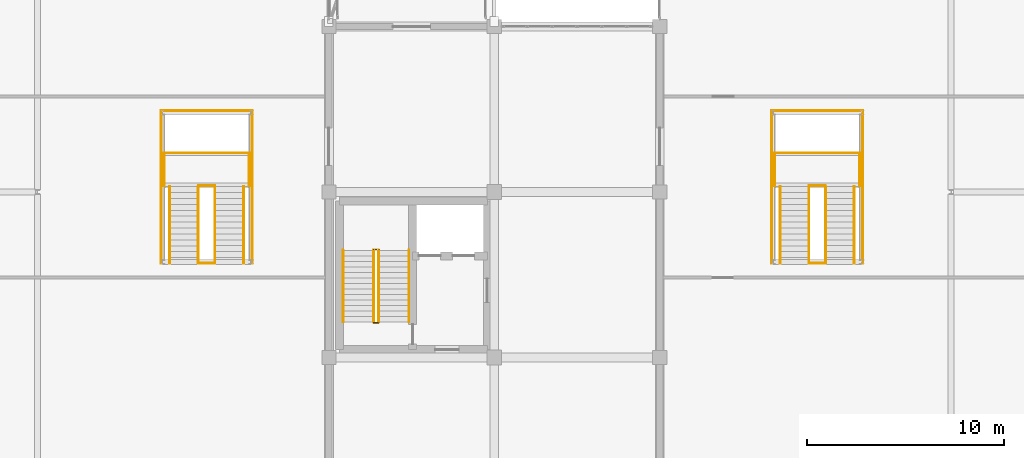
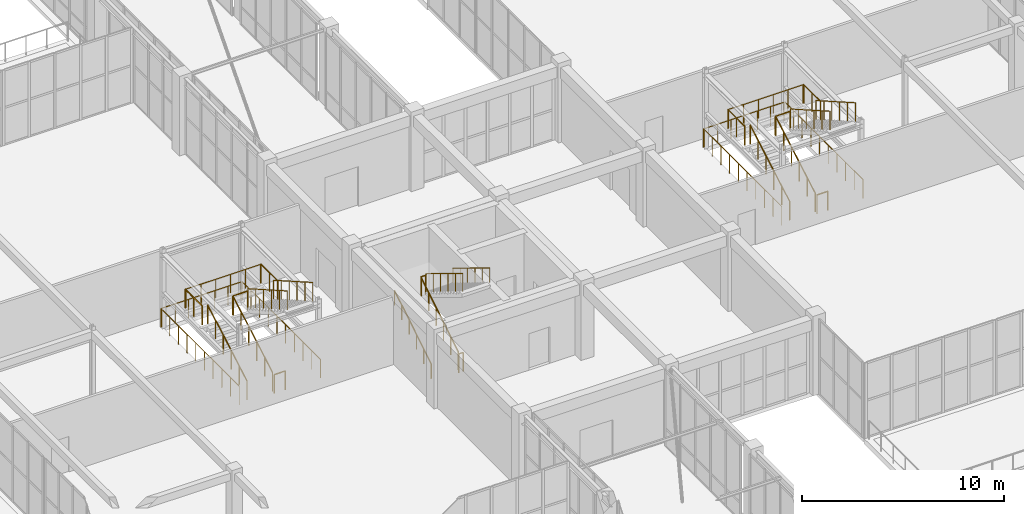
# One storey, part 150 of 158: 30 railings.
"""IFC4 building model written with IfcOpenShell, lengths in metres."""

import ifcopenshell
import ifcopenshell.guid

model = None  # the IFC model being written
_history = None  # IfcOwnerHistory: only IFC2X3 demands one
_inside = {}  # id of a spatial element -> (the spatial element, [elements in it])
_under = {}  # id of a project, library or spatial element -> (it, [spatial elements below it])
_declared = {}  # id of a project -> (the project, [libraries it declares])
_typed = {}  # id of a type object -> (the type object, [elements of that type])
_made_of = {}  # id of a material, layer set ... -> (it, [elements and type objects made of it])


def new_model(schema):
    """Start an empty IFC model of exactly this schema.

    Asked for "IFC4X3", IfcOpenShell would pick the latest addendum, in which some entities
    have other attributes; the version numbers below select the first issue.
    IFC2X3 requires an IfcOwnerHistory on every rooted entity: one is made here for all.
    """
    global model, _history
    if schema == "IFC4X3":
        model = ifcopenshell.file(schema_version=(4, 3, 0, 0))
    else:
        model = ifcopenshell.file(schema=schema)
    _inside.clear()
    _under.clear()
    _declared.clear()
    _typed.clear()
    _made_of.clear()
    _history = None
    if model.schema == "IFC2X3":
        org = make("IfcOrganization", Name="unknown")
        user = make(
            "IfcPersonAndOrganization",
            ThePerson=make("IfcPerson", FamilyName="unknown"),
            TheOrganization=org,
        )
        app = make(
            "IfcApplication",
            ApplicationDeveloper=org,
            Version="unknown",
            ApplicationFullName="unknown",
            ApplicationIdentifier="unknown",
        )
        _history = make(
            "IfcOwnerHistory",
            OwningUser=user,
            OwningApplication=app,
            ChangeAction="ADDED",
            CreationDate=0,
        )
    return model


def make(cls, **values):
    """One entity of the class cls with the attributes given. An attribute that is None is left unset."""
    return model.create_entity(
        cls, **{name: value for name, value in values.items() if value is not None}
    )


def rooted(cls, **values):
    """An entity with a GlobalId (a new one), such as an element, a storey or a relation."""
    return make(cls, GlobalId=ifcopenshell.guid.new(), OwnerHistory=_history, **values)


def si_unit(unit_type, name, prefix=None):
    """IfcSIUnit, for example si_unit("LENGTHUNIT", "METRE", prefix="MILLI")."""
    return make("IfcSIUnit", UnitType=unit_type, Prefix=prefix, Name=name)


def assignment(units):
    """IfcUnitAssignment: the units of a project."""
    return None if units is None else make("IfcUnitAssignment", Units=units)


def point(xyz):
    """IfcCartesianPoint."""
    return None if xyz is None else make("IfcCartesianPoint", Coordinates=xyz)


def direction(xyz):
    """IfcDirection."""
    return None if xyz is None else make("IfcDirection", DirectionRatios=xyz)


def frame(location, z_axis=None, x_axis=None):
    """IfcAxis2Placement3D, a coordinate frame: its origin and axes. An axis left out is left unset."""
    return make(
        "IfcAxis2Placement3D",
        Location=point(location),
        Axis=direction(z_axis),
        RefDirection=direction(x_axis),
    )


def frame_2d(location, x_axis=None):
    """IfcAxis2Placement2D, a coordinate frame in the plane: its origin and x axis."""
    return make(
        "IfcAxis2Placement2D", Location=point(location), RefDirection=direction(x_axis)
    )


def origin():
    """The frame at (0, 0, 0) with its axes left unset."""
    return frame((0.0, 0.0, 0.0))


def origin_2d():
    """The frame at (0, 0) in the plane with its x axis left unset."""
    return frame_2d((0.0, 0.0))


def place(relative_to, where):
    """IfcLocalPlacement: puts the frame where relative to a parent placement (None: the world)."""
    return make(
        "IfcLocalPlacement", PlacementRelTo=relative_to, RelativePlacement=where
    )


def context(
    kind, dimensions, precision=None, world=None, true_north=None, identifier=None
):
    """IfcGeometricRepresentationContext, for example the 3D "Model" context."""
    return make(
        "IfcGeometricRepresentationContext",
        ContextIdentifier=identifier,
        ContextType=kind,
        CoordinateSpaceDimension=dimensions,
        Precision=precision,
        WorldCoordinateSystem=world,
        TrueNorth=true_north,
    )


def subcontext(parent, identifier, kind, view, scale=None):
    """IfcGeometricRepresentationSubContext, for example "Body" below "Model"."""
    return make(
        "IfcGeometricRepresentationSubContext",
        ContextIdentifier=identifier,
        ContextType=kind,
        ParentContext=parent,
        TargetScale=scale,
        TargetView=view,
    )


def project(units=None, contexts=None):
    """IfcProject with its units and contexts."""
    return rooted(
        "IfcProject",
        Name="project",
        RepresentationContexts=contexts,
        UnitsInContext=assignment(units),
    )


def spatial(cls, under=None, at=None, **own):
    """A site, building, storey or space (cls), placed at a placement, below another one or the project."""
    s = rooted(cls, ObjectPlacement=at, **own)
    if under is not None:
        _under.setdefault(under.id(), (under, []))[1].append(s)
    return s


def profile(cls, at=None, kind="AREA", **sizes):
    """A parametric profile (cls). Its sizes go by their IFC names, for example OverallWidth=200.0."""
    return make(cls, ProfileType=kind, Position=at, **sizes)


def circle(**sizes):
    """IfcCircleProfileDef."""
    return profile("IfcCircleProfileDef", **sizes)


def extrude(swept, where, along, depth):
    """IfcExtrudedAreaSolid: the profile swept, set in the frame where, extruded along a direction by depth."""
    return make(
        "IfcExtrudedAreaSolid",
        SweptArea=swept,
        Position=where,
        ExtrudedDirection=direction(along),
        Depth=depth,
    )


def shape(context_of_items, identifier, shape_type, items):
    """IfcShapeRepresentation: the items that make up one representation, for example the "Body"."""
    return make(
        "IfcShapeRepresentation",
        ContextOfItems=context_of_items,
        RepresentationIdentifier=identifier,
        RepresentationType=shape_type,
        Items=items,
    )


def material(Name=None, Category=None):
    """IfcMaterial."""
    return make("IfcMaterial", Name=Name, Category=Category)


def made_of(thing, what):
    """Note that an element or type object is made of a material, layer set ...; save() writes the relation."""
    if what is not None:
        _made_of.setdefault(what.id(), (what, []))[1].append(thing)
    return thing


def type_object(cls, material=None, **own):
    """A type object (cls), such as IfcWallType, which elements share."""
    return made_of(rooted(cls, **own), material)


def element(
    cls,
    number,
    at=None,
    inside=None,
    cuts=None,
    type_object=None,
    material=None,
    context=None,
    identifier="Body",
    shape_type=None,
    held_by="IfcProductDefinitionShape",
    body=None,
    shapes=None,
    **own,
):
    """One element of the class cls, such as IfcWall. Its Tag is "e" and its number.

    at: its placement. inside: the storey or other place that contains it. cuts: it is an
    opening in that element (IfcRelVoidsElement). A single representation is given by context,
    identifier, shape_type and body (its items); several are given by shapes. held_by: the class
    of the entity that holds the representations. save() writes the other relations.
    """
    e = rooted(cls, Tag="e%d" % number, ObjectPlacement=at, **own)
    if body is not None:
        shapes = [shape(context, identifier, shape_type, body)]
    if shapes is not None:
        e.Representation = make(held_by, Representations=shapes)
    if inside is not None:
        _inside.setdefault(inside.id(), (inside, []))[1].append(e)
    if cuts is not None:
        rooted(
            "IfcRelVoidsElement", RelatingBuildingElement=cuts, RelatedOpeningElement=e
        )
    if type_object is not None:
        _typed.setdefault(type_object.id(), (type_object, []))[1].append(e)
    return made_of(e, material)


def aggregate(whole, parts):
    """IfcRelAggregates: a whole, such as a stair, and the parts it consists of."""
    return rooted("IfcRelAggregates", RelatingObject=whole, RelatedObjects=parts)


def save(model, path):
    """Write the relations noted so far, then the file.

    IfcRelAggregates (storeys below a building ...), IfcRelContainedInSpatialStructure (elements
    in a storey), IfcRelDefinesByType, IfcRelAssociatesMaterial and IfcRelDeclares: one each for
    every whole, place, type object, material and project.
    """
    for whole, parts in _under.values():
        aggregate(whole, parts)
    for where, things in _inside.values():
        rooted(
            "IfcRelContainedInSpatialStructure",
            RelatedElements=things,
            RelatingStructure=where,
        )
    for kind, things in _typed.values():
        rooted("IfcRelDefinesByType", RelatedObjects=things, RelatingType=kind)
    for what, things in _made_of.values():
        rooted("IfcRelAssociatesMaterial", RelatedObjects=things, RelatingMaterial=what)
    for by, libraries in _declared.values():
        rooted("IfcRelDeclares", RelatingContext=by, RelatedDefinitions=libraries)
    model.write(path)


model = new_model("IFC4")

# Units and contexts
model_context = context("Model", 3, precision=1e-05, world=origin(), true_north=direction((0.0, 1.0)))
body_context = subcontext(model_context, "Body", "Model", "MODEL_VIEW")
ifc_project = project(units=[si_unit("LENGTHUNIT", "METRE"), si_unit("AREAUNIT", "SQUARE_METRE"), si_unit("VOLUMEUNIT", "CUBIC_METRE"), si_unit("PLANEANGLEUNIT", "RADIAN"), si_unit("MASSUNIT", "GRAM", prefix="KILO")], contexts=[model_context])

# Site, building, storey
site_placement = place(None, origin())
site = spatial("IfcSite", under=ifc_project, at=site_placement, CompositionType="ELEMENT")
building_placement = place(site_placement, origin())
building = spatial("IfcBuilding", under=site, at=building_placement, Name="Trelvath General Hospital", CompositionType="ELEMENT")
storey_placement = place(building_placement, frame((0.0, 0.0, 8.10009765625)))
storey = spatial("IfcBuildingStorey", under=building, at=storey_placement, Name="L02", CompositionType="ELEMENT", Elevation=8.10009765625)

# Railings
ifc_material_1 = material(Name="Architectural painted steel", Category="steel")
railing_type_1 = type_object("IfcRailingType", Name="Guardrail Terrace1150", PredefinedType="GUARDRAIL", material=ifc_material_1)
railing_1_placement = place(storey_placement, frame((77.8701171875, 52.159912109375, 0.0)))
element("IfcRailing", 1, at=railing_1_placement, inside=storey, type_object=railing_type_1, Name="Stair Well Edge Guard C6 L02 204", PredefinedType="GUARDRAIL", context=body_context, shape_type="SweptSolid", body=[
    extrude(circle(Radius=0.02392578125, at=origin_2d()), frame((0.0, 0.0, 1.1259765625), z_axis=(1.0, 0.0, 0.0), x_axis=(0.0, 1.0, 0.0)), (0.0, 0.0, 1.0), 0.259765625),
    extrude(circle(Radius=0.02099609375, at=origin_2d()), origin(), (0.0, 0.0, 1.0), 1.099853515625),
    extrude(circle(Radius=0.02099609375, at=origin_2d()), frame((0.259765625, 0.0, 0.0)), (0.0, 0.0, 1.0), 1.099853515625),
])
railing_2_placement = place(storey_placement, frame((78.1298828125, 55.840087890625, 2.5712890625)))
element("IfcRailing", 2, at=railing_2_placement, inside=storey, type_object=railing_type_1, Name="Stair Rail ST6 L02 F2 L 206", PredefinedType="GUARDRAIL", context=body_context, shape_type="SweptSolid", body=[
    extrude(circle(Radius=0.02392578125, at=origin_2d()), frame((0.0, 0.0, 1.076171875), z_axis=(0.0, -0.852865859571, 0.52213008492), x_axis=(1.0, 0.0, 0.0)), (0.0, 0.0, 1.0), 4.26806640625),
    extrude(circle(Radius=0.02099609375, at=origin_2d()), origin(), (0.0, 0.0, 1.0), 1.050048828125),
    extrude(circle(Radius=0.02099609375, at=origin_2d()), frame((0.0, -0.72802734375, 0.44580078125)), (0.0, 0.0, 1.0), 1.050048828125),
    extrude(circle(Radius=0.02099609375, at=origin_2d()), frame((0.0, -1.4560546875, 0.891357421875)), (0.0, 0.0, 1.0), 1.050048828125),
    extrude(circle(Radius=0.02099609375, at=origin_2d()), frame((0.0, -2.18408203125, 1.337158203125)), (0.0, 0.0, 1.0), 1.050048828125),
    extrude(circle(Radius=0.02099609375, at=origin_2d()), frame((0.0, -2.912109375, 1.78271484375)), (0.0, 0.0, 1.0), 1.050048828125),
    extrude(circle(Radius=0.02099609375, at=origin_2d()), frame((0.0, -3.64013671875, 2.228515625)), (0.0, 0.0, 1.0), 1.050048828125),
])
railing_3_placement = place(storey_placement, frame((77.8701171875, 52.199951171875, 0.17138671875)))
element("IfcRailing", 3, at=railing_3_placement, inside=storey, type_object=railing_type_1, Name="Stair Rail ST6 L02 F1 R 207", PredefinedType="GUARDRAIL", context=body_context, shape_type="SweptSolid", body=[
    extrude(circle(Radius=0.02392578125, at=origin_2d()), frame((0.0, 0.0, 1.076171875), z_axis=(0.0, 0.852865859571, 0.52213008492), x_axis=(-1.0, 0.0, 0.0)), (0.0, 0.0, 1.0), 4.26806640625),
    extrude(circle(Radius=0.02099609375, at=origin_2d()), origin(), (0.0, 0.0, 1.0), 1.050048828125),
    extrude(circle(Radius=0.02099609375, at=origin_2d()), frame((0.0, 0.72802734375, 0.44580078125)), (0.0, 0.0, 1.0), 1.050048828125),
    extrude(circle(Radius=0.02099609375, at=origin_2d()), frame((0.0, 1.4560546875, 0.891357421875)), (0.0, 0.0, 1.0), 1.050048828125),
    extrude(circle(Radius=0.02099609375, at=origin_2d()), frame((0.0, 2.18408203125, 1.337158203125)), (0.0, 0.0, 1.0), 1.050048828125),
    extrude(circle(Radius=0.02099609375, at=origin_2d()), frame((0.0, 2.912109375, 1.78271484375)), (0.0, 0.0, 1.0), 1.050048828125),
    extrude(circle(Radius=0.02099609375, at=origin_2d()), frame((0.0, 3.64013671875, 2.228515625)), (0.0, 0.0, 1.0), 1.050048828125),
])
railing_4_placement = place(storey_placement, frame((77.8701171875, 55.8798828125, 2.39990234375)))
element("IfcRailing", 4, at=railing_4_placement, inside=storey, type_object=railing_type_1, Name="Half-Landing Well Guard ST6 L02 209", PredefinedType="GUARDRAIL", context=body_context, shape_type="SweptSolid", body=[
    extrude(circle(Radius=0.02392578125, at=origin_2d()), frame((0.0, 0.0, 1.1259765625), z_axis=(1.0, 0.0, 0.0), x_axis=(0.0, 1.0, 0.0)), (0.0, 0.0, 1.0), 0.259765625),
    extrude(circle(Radius=0.02099609375, at=origin_2d()), origin(), (0.0, 0.0, 1.0), 1.099853515625),
    extrude(circle(Radius=0.02099609375, at=origin_2d()), frame((0.259765625, 0.0, 0.0)), (0.0, 0.0, 1.0), 1.099853515625),
])
for number, where, name in (
    (5, (67.52001953125, 55.169921875, 0.17138671875), "Cube Stair Flight Guard ST9 L02 291"),
    (6, (68.97998046875, 55.169921875, 0.17138671875), "Cube Stair Flight Guard ST9 L02 292"),
):
    element("IfcRailing", number, at=place(storey_placement, frame(where)), inside=storey, type_object=railing_type_1, Name=name, PredefinedType="GUARDRAIL", context=body_context, shape_type="SweptSolid", body=[
        extrude(circle(Radius=0.02392578125, at=origin_2d()), frame((0.0, 0.0, 1.1259765625), z_axis=(0.0, 0.868256520506, 0.496115525457), x_axis=(-1.0, 0.0, 0.0)), (0.0, 0.0, 1.0), 4.491943359375),
        extrude(circle(Radius=0.02099609375, at=origin_2d()), origin(), (0.0, 0.0, 1.0), 1.099853515625),
        extrude(circle(Radius=0.02099609375, at=origin_2d()), frame((0.0, 0.780029296875, 0.44580078125)), (0.0, 0.0, 1.0), 1.099853515625),
        extrude(circle(Radius=0.02099609375, at=origin_2d()), frame((0.0, 1.56005859375, 0.891357421875)), (0.0, 0.0, 1.0), 1.099853515625),
        extrude(circle(Radius=0.02099609375, at=origin_2d()), frame((0.0, 2.340087890625, 1.337158203125)), (0.0, 0.0, 1.0), 1.099853515625),
        extrude(circle(Radius=0.02099609375, at=origin_2d()), frame((0.0, 3.1201171875, 1.78271484375)), (0.0, 0.0, 1.0), 1.099853515625),
        extrude(circle(Radius=0.02099609375, at=origin_2d()), frame((0.0, 3.900146484375, 2.228515625)), (0.0, 0.0, 1.0), 1.099853515625),
    ])
for number, where, name in (
    (7, (69.820068359375, 59.070068359375, 2.5712890625), "Cube Stair Flight Guard ST9 L02 293"),
    (8, (71.280029296875, 59.070068359375, 2.5712890625), "Cube Stair Flight Guard ST9 L02 294"),
):
    element("IfcRailing", number, at=place(storey_placement, frame(where)), inside=storey, type_object=railing_type_1, Name=name, PredefinedType="GUARDRAIL", context=body_context, shape_type="SweptSolid", body=[
        extrude(circle(Radius=0.02392578125, at=origin_2d()), frame((0.0, 0.0, 1.1259765625), z_axis=(0.0, -0.868256520506, 0.496115525457), x_axis=(1.0, 0.0, 0.0)), (0.0, 0.0, 1.0), 4.491943359375),
        extrude(circle(Radius=0.02099609375, at=origin_2d()), origin(), (0.0, 0.0, 1.0), 1.099853515625),
        extrude(circle(Radius=0.02099609375, at=origin_2d()), frame((0.0, -0.780029296875, 0.44580078125)), (0.0, 0.0, 1.0), 1.099853515625),
        extrude(circle(Radius=0.02099609375, at=origin_2d()), frame((0.0, -1.56005859375, 0.891357421875)), (0.0, 0.0, 1.0), 1.099853515625),
        extrude(circle(Radius=0.02099609375, at=origin_2d()), frame((0.0, -2.340087890625, 1.337158203125)), (0.0, 0.0, 1.0), 1.099853515625),
        extrude(circle(Radius=0.02099609375, at=origin_2d()), frame((0.0, -3.1201171875, 1.78271484375)), (0.0, 0.0, 1.0), 1.099853515625),
        extrude(circle(Radius=0.02099609375, at=origin_2d()), frame((0.0, -3.900146484375, 2.228515625)), (0.0, 0.0, 1.0), 1.099853515625),
    ])
railing_5_placement = place(storey_placement, frame((67.239990234375, 59.110107421875, 2.39990234375)))
element("IfcRailing", 9, at=railing_5_placement, inside=storey, type_object=railing_type_1, Name="Cube Half-Landing Guard W ST9 L02 295", PredefinedType="GUARDRAIL", context=body_context, shape_type="SweptSolid", body=[
    extrude(circle(Radius=0.02392578125, at=origin_2d()), frame((0.0, 0.0, 1.1259765625), z_axis=(0.0, 1.0, 0.0), x_axis=(-1.0, 0.0, 0.0)), (0.0, 0.0, 1.0), 1.669921875),
    extrude(circle(Radius=0.02099609375, at=origin_2d()), origin(), (0.0, 0.0, 1.0), 1.099853515625),
    extrude(circle(Radius=0.02099609375, at=origin_2d()), frame((0.0, 0.8349609375, 0.0)), (0.0, 0.0, 1.0), 1.099853515625),
    extrude(circle(Radius=0.02099609375, at=origin_2d()), frame((0.0, 1.669921875, 0.0)), (0.0, 0.0, 1.0), 1.099853515625),
])
railing_6_placement = place(storey_placement, frame((67.280029296875, 60.780029296875, 2.39990234375)))
element("IfcRailing", 10, at=railing_6_placement, inside=storey, type_object=railing_type_1, Name="Cube Half-Landing Guard N ST9 L02 296", PredefinedType="GUARDRAIL", context=body_context, shape_type="SweptSolid", body=[
    extrude(circle(Radius=0.02392578125, at=origin_2d()), frame((0.0, 0.0, 1.1259765625), z_axis=(1.0, 0.0, 0.0), x_axis=(0.0, 1.0, 0.0)), (0.0, 0.0, 1.0), 4.239990234375),
    extrude(circle(Radius=0.02099609375, at=origin_2d()), origin(), (0.0, 0.0, 1.0), 1.099853515625),
    extrude(circle(Radius=0.02099609375, at=origin_2d()), frame((0.847900390625, 0.0, 0.0)), (0.0, 0.0, 1.0), 1.099853515625),
    extrude(circle(Radius=0.02099609375, at=origin_2d()), frame((1.696044921875, 0.0, 0.0)), (0.0, 0.0, 1.0), 1.099853515625),
    extrude(circle(Radius=0.02099609375, at=origin_2d()), frame((2.5439453125, 0.0, 0.0)), (0.0, 0.0, 1.0), 1.099853515625),
    extrude(circle(Radius=0.02099609375, at=origin_2d()), frame((3.39208984375, 0.0, 0.0)), (0.0, 0.0, 1.0), 1.099853515625),
    extrude(circle(Radius=0.02099609375, at=origin_2d()), frame((4.239990234375, 0.0, 0.0)), (0.0, 0.0, 1.0), 1.099853515625),
])
railing_7_placement = place(storey_placement, frame((71.56005859375, 59.110107421875, 2.39990234375)))
element("IfcRailing", 11, at=railing_7_placement, inside=storey, type_object=railing_type_1, Name="Cube Half-Landing Guard E ST9 L02 297", PredefinedType="GUARDRAIL", context=body_context, shape_type="SweptSolid", body=[
    extrude(circle(Radius=0.02392578125, at=origin_2d()), frame((0.0, 0.0, 1.1259765625), z_axis=(0.0, 1.0, 0.0), x_axis=(-1.0, 0.0, 0.0)), (0.0, 0.0, 1.0), 1.669921875),
    extrude(circle(Radius=0.02099609375, at=origin_2d()), origin(), (0.0, 0.0, 1.0), 1.099853515625),
    extrude(circle(Radius=0.02099609375, at=origin_2d()), frame((0.0, 0.8349609375, 0.0)), (0.0, 0.0, 1.0), 1.099853515625),
    extrude(circle(Radius=0.02099609375, at=origin_2d()), frame((0.0, 1.669921875, 0.0)), (0.0, 0.0, 1.0), 1.099853515625),
])
railing_8_placement = place(storey_placement, frame((68.97998046875, 59.110107421875, 2.39990234375)))
element("IfcRailing", 12, at=railing_8_placement, inside=storey, type_object=railing_type_1, Name="Cube Half-Landing Slot Guard ST9 L02 298", PredefinedType="GUARDRAIL", context=body_context, shape_type="SweptSolid", body=[
    extrude(circle(Radius=0.02392578125, at=origin_2d()), frame((0.0, 0.0, 1.1259765625), z_axis=(1.0, 0.0, 0.0), x_axis=(0.0, 1.0, 0.0)), (0.0, 0.0, 1.0), 0.840087890625),
    extrude(circle(Radius=0.02099609375, at=origin_2d()), origin(), (0.0, 0.0, 1.0), 1.099853515625),
    extrude(circle(Radius=0.02099609375, at=origin_2d()), frame((0.840087890625, 0.0, 0.0)), (0.0, 0.0, 1.0), 1.099853515625),
])
for number, where, name in (
    (13, (98.52001953125, 55.169921875, 0.17138671875), "Cube Stair Flight Guard ST10 L02 299"),
    (14, (99.97998046875, 55.169921875, 0.17138671875), "Cube Stair Flight Guard ST10 L02 300"),
):
    element("IfcRailing", number, at=place(storey_placement, frame(where)), inside=storey, type_object=railing_type_1, Name=name, PredefinedType="GUARDRAIL", context=body_context, shape_type="SweptSolid", body=[
        extrude(circle(Radius=0.02392578125, at=origin_2d()), frame((0.0, 0.0, 1.1259765625), z_axis=(0.0, 0.868256520506, 0.496115525457), x_axis=(-1.0, 0.0, 0.0)), (0.0, 0.0, 1.0), 4.491943359375),
        extrude(circle(Radius=0.02099609375, at=origin_2d()), origin(), (0.0, 0.0, 1.0), 1.099853515625),
        extrude(circle(Radius=0.02099609375, at=origin_2d()), frame((0.0, 0.780029296875, 0.44580078125)), (0.0, 0.0, 1.0), 1.099853515625),
        extrude(circle(Radius=0.02099609375, at=origin_2d()), frame((0.0, 1.56005859375, 0.891357421875)), (0.0, 0.0, 1.0), 1.099853515625),
        extrude(circle(Radius=0.02099609375, at=origin_2d()), frame((0.0, 2.340087890625, 1.337158203125)), (0.0, 0.0, 1.0), 1.099853515625),
        extrude(circle(Radius=0.02099609375, at=origin_2d()), frame((0.0, 3.1201171875, 1.78271484375)), (0.0, 0.0, 1.0), 1.099853515625),
        extrude(circle(Radius=0.02099609375, at=origin_2d()), frame((0.0, 3.900146484375, 2.228515625)), (0.0, 0.0, 1.0), 1.099853515625),
    ])
for number, where, name in (
    (15, (100.820068359375, 59.070068359375, 2.5712890625), "Cube Stair Flight Guard ST10 L02 301"),
    (16, (102.280029296875, 59.070068359375, 2.5712890625), "Cube Stair Flight Guard ST10 L02 302"),
):
    element("IfcRailing", number, at=place(storey_placement, frame(where)), inside=storey, type_object=railing_type_1, Name=name, PredefinedType="GUARDRAIL", context=body_context, shape_type="SweptSolid", body=[
        extrude(circle(Radius=0.02392578125, at=origin_2d()), frame((0.0, 0.0, 1.1259765625), z_axis=(0.0, -0.868256520506, 0.496115525457), x_axis=(1.0, 0.0, 0.0)), (0.0, 0.0, 1.0), 4.491943359375),
        extrude(circle(Radius=0.02099609375, at=origin_2d()), origin(), (0.0, 0.0, 1.0), 1.099853515625),
        extrude(circle(Radius=0.02099609375, at=origin_2d()), frame((0.0, -0.780029296875, 0.44580078125)), (0.0, 0.0, 1.0), 1.099853515625),
        extrude(circle(Radius=0.02099609375, at=origin_2d()), frame((0.0, -1.56005859375, 0.891357421875)), (0.0, 0.0, 1.0), 1.099853515625),
        extrude(circle(Radius=0.02099609375, at=origin_2d()), frame((0.0, -2.340087890625, 1.337158203125)), (0.0, 0.0, 1.0), 1.099853515625),
        extrude(circle(Radius=0.02099609375, at=origin_2d()), frame((0.0, -3.1201171875, 1.78271484375)), (0.0, 0.0, 1.0), 1.099853515625),
        extrude(circle(Radius=0.02099609375, at=origin_2d()), frame((0.0, -3.900146484375, 2.228515625)), (0.0, 0.0, 1.0), 1.099853515625),
    ])
railing_9_placement = place(storey_placement, frame((98.239990234375, 59.110107421875, 2.39990234375)))
element("IfcRailing", 17, at=railing_9_placement, inside=storey, type_object=railing_type_1, Name="Cube Half-Landing Guard W ST10 L02 303", PredefinedType="GUARDRAIL", context=body_context, shape_type="SweptSolid", body=[
    extrude(circle(Radius=0.02392578125, at=origin_2d()), frame((0.0, 0.0, 1.1259765625), z_axis=(0.0, 1.0, 0.0), x_axis=(-1.0, 0.0, 0.0)), (0.0, 0.0, 1.0), 1.669921875),
    extrude(circle(Radius=0.02099609375, at=origin_2d()), origin(), (0.0, 0.0, 1.0), 1.099853515625),
    extrude(circle(Radius=0.02099609375, at=origin_2d()), frame((0.0, 0.8349609375, 0.0)), (0.0, 0.0, 1.0), 1.099853515625),
    extrude(circle(Radius=0.02099609375, at=origin_2d()), frame((0.0, 1.669921875, 0.0)), (0.0, 0.0, 1.0), 1.099853515625),
])
railing_10_placement = place(storey_placement, frame((98.280029296875, 60.780029296875, 2.39990234375)))
element("IfcRailing", 18, at=railing_10_placement, inside=storey, type_object=railing_type_1, Name="Cube Half-Landing Guard N ST10 L02 304", PredefinedType="GUARDRAIL", context=body_context, shape_type="SweptSolid", body=[
    extrude(circle(Radius=0.02392578125, at=origin_2d()), frame((0.0, 0.0, 1.1259765625), z_axis=(1.0, 0.0, 0.0), x_axis=(0.0, 1.0, 0.0)), (0.0, 0.0, 1.0), 4.239990234375),
    extrude(circle(Radius=0.02099609375, at=origin_2d()), origin(), (0.0, 0.0, 1.0), 1.099853515625),
    extrude(circle(Radius=0.02099609375, at=origin_2d()), frame((0.847900390625, 0.0, 0.0)), (0.0, 0.0, 1.0), 1.099853515625),
    extrude(circle(Radius=0.02099609375, at=origin_2d()), frame((1.696044921875, 0.0, 0.0)), (0.0, 0.0, 1.0), 1.099853515625),
    extrude(circle(Radius=0.02099609375, at=origin_2d()), frame((2.5439453125, 0.0, 0.0)), (0.0, 0.0, 1.0), 1.099853515625),
    extrude(circle(Radius=0.02099609375, at=origin_2d()), frame((3.39208984375, 0.0, 0.0)), (0.0, 0.0, 1.0), 1.099853515625),
    extrude(circle(Radius=0.02099609375, at=origin_2d()), frame((4.239990234375, 0.0, 0.0)), (0.0, 0.0, 1.0), 1.099853515625),
])
railing_11_placement = place(storey_placement, frame((102.56005859375, 59.110107421875, 2.39990234375)))
element("IfcRailing", 19, at=railing_11_placement, inside=storey, type_object=railing_type_1, Name="Cube Half-Landing Guard E ST10 L02 305", PredefinedType="GUARDRAIL", context=body_context, shape_type="SweptSolid", body=[
    extrude(circle(Radius=0.02392578125, at=origin_2d()), frame((0.0, 0.0, 1.1259765625), z_axis=(0.0, 1.0, 0.0), x_axis=(-1.0, 0.0, 0.0)), (0.0, 0.0, 1.0), 1.669921875),
    extrude(circle(Radius=0.02099609375, at=origin_2d()), origin(), (0.0, 0.0, 1.0), 1.099853515625),
    extrude(circle(Radius=0.02099609375, at=origin_2d()), frame((0.0, 0.8349609375, 0.0)), (0.0, 0.0, 1.0), 1.099853515625),
    extrude(circle(Radius=0.02099609375, at=origin_2d()), frame((0.0, 1.669921875, 0.0)), (0.0, 0.0, 1.0), 1.099853515625),
])
railing_12_placement = place(storey_placement, frame((99.97998046875, 59.110107421875, 2.39990234375)))
element("IfcRailing", 20, at=railing_12_placement, inside=storey, type_object=railing_type_1, Name="Cube Half-Landing Slot Guard ST10 L02 306", PredefinedType="GUARDRAIL", context=body_context, shape_type="SweptSolid", body=[
    extrude(circle(Radius=0.02392578125, at=origin_2d()), frame((0.0, 0.0, 1.1259765625), z_axis=(1.0, 0.0, 0.0), x_axis=(0.0, 1.0, 0.0)), (0.0, 0.0, 1.0), 0.840087890625),
    extrude(circle(Radius=0.02099609375, at=origin_2d()), origin(), (0.0, 0.0, 1.0), 1.099853515625),
    extrude(circle(Radius=0.02099609375, at=origin_2d()), frame((0.840087890625, 0.0, 0.0)), (0.0, 0.0, 1.0), 1.099853515625),
])
railing_13_placement = place(storey_placement, frame((67.080078125, 55.179931640625, 0.0)))
element("IfcRailing", 21, at=railing_13_placement, inside=storey, type_object=railing_type_1, Name="Atrium Guard W CUBE-W-T1 L02 363", PredefinedType="GUARDRAIL", context=body_context, shape_type="SweptSolid", body=[
    extrude(circle(Radius=0.02392578125, at=origin_2d()), frame((0.0, 0.0, 1.1259765625), z_axis=(0.0, 1.0, 0.0), x_axis=(-1.0, 0.0, 0.0)), (0.0, 0.0, 1.0), 7.739990234375),
    extrude(circle(Radius=0.02099609375, at=origin_2d()), origin(), (0.0, 0.0, 1.0), 1.099853515625),
    extrude(circle(Radius=0.02099609375, at=origin_2d()), frame((0.0, 0.860107421875, 0.0)), (0.0, 0.0, 1.0), 1.099853515625),
    extrude(circle(Radius=0.02099609375, at=origin_2d()), frame((0.0, 1.719970703125, 0.0)), (0.0, 0.0, 1.0), 1.099853515625),
    extrude(circle(Radius=0.02099609375, at=origin_2d()), frame((0.0, 2.580078125, 0.0)), (0.0, 0.0, 1.0), 1.099853515625),
    extrude(circle(Radius=0.02099609375, at=origin_2d()), frame((0.0, 3.43994140625, 0.0)), (0.0, 0.0, 1.0), 1.099853515625),
    extrude(circle(Radius=0.02099609375, at=origin_2d()), frame((0.0, 4.300048828125, 0.0)), (0.0, 0.0, 1.0), 1.099853515625),
    extrude(circle(Radius=0.02099609375, at=origin_2d()), frame((0.0, 5.159912109375, 0.0)), (0.0, 0.0, 1.0), 1.099853515625),
    extrude(circle(Radius=0.02099609375, at=origin_2d()), frame((0.0, 6.02001953125, 0.0)), (0.0, 0.0, 1.0), 1.099853515625),
    extrude(circle(Radius=0.02099609375, at=origin_2d()), frame((0.0, 6.8798828125, 0.0)), (0.0, 0.0, 1.0), 1.099853515625),
    extrude(circle(Radius=0.02099609375, at=origin_2d()), frame((0.0, 7.739990234375, 0.0)), (0.0, 0.0, 1.0), 1.099853515625),
])
railing_14_placement = place(storey_placement, frame((67.139892578125, 62.919921875, 0.0)))
element("IfcRailing", 22, at=railing_14_placement, inside=storey, type_object=railing_type_1, Name="Atrium Guard N CUBE-W-T1 L02 364", PredefinedType="GUARDRAIL", context=body_context, shape_type="SweptSolid", body=[
    extrude(circle(Radius=0.02392578125, at=origin_2d()), frame((0.0, 0.0, 1.1259765625), z_axis=(1.0, 0.0, 0.0), x_axis=(0.0, 1.0, 0.0)), (0.0, 0.0, 1.0), 4.52001953125),
    extrude(circle(Radius=0.02099609375, at=origin_2d()), origin(), (0.0, 0.0, 1.0), 1.099853515625),
    extrude(circle(Radius=0.02099609375, at=origin_2d()), frame((0.75341796875, 0.0, 0.0)), (0.0, 0.0, 1.0), 1.099853515625),
    extrude(circle(Radius=0.02099609375, at=origin_2d()), frame((1.506591796875, 0.0, 0.0)), (0.0, 0.0, 1.0), 1.099853515625),
    extrude(circle(Radius=0.02099609375, at=origin_2d()), frame((2.260009765625, 0.0, 0.0)), (0.0, 0.0, 1.0), 1.099853515625),
    extrude(circle(Radius=0.02099609375, at=origin_2d()), frame((3.013427734375, 0.0, 0.0)), (0.0, 0.0, 1.0), 1.099853515625),
    extrude(circle(Radius=0.02099609375, at=origin_2d()), frame((3.7666015625, 0.0, 0.0)), (0.0, 0.0, 1.0), 1.099853515625),
    extrude(circle(Radius=0.02099609375, at=origin_2d()), frame((4.52001953125, 0.0, 0.0)), (0.0, 0.0, 1.0), 1.099853515625),
])
railing_15_placement = place(storey_placement, frame((71.719970703125, 55.179931640625, 0.0)))
element("IfcRailing", 23, at=railing_15_placement, inside=storey, type_object=railing_type_1, Name="Atrium Guard E CUBE-W-T1 L02 365", PredefinedType="GUARDRAIL", context=body_context, shape_type="SweptSolid", body=[
    extrude(circle(Radius=0.02392578125, at=origin_2d()), frame((0.0, 0.0, 1.1259765625), z_axis=(0.0, 1.0, 0.0), x_axis=(-1.0, 0.0, 0.0)), (0.0, 0.0, 1.0), 7.739990234375),
    extrude(circle(Radius=0.02099609375, at=origin_2d()), origin(), (0.0, 0.0, 1.0), 1.099853515625),
    extrude(circle(Radius=0.02099609375, at=origin_2d()), frame((0.0, 0.860107421875, 0.0)), (0.0, 0.0, 1.0), 1.099853515625),
    extrude(circle(Radius=0.02099609375, at=origin_2d()), frame((0.0, 1.719970703125, 0.0)), (0.0, 0.0, 1.0), 1.099853515625),
    extrude(circle(Radius=0.02099609375, at=origin_2d()), frame((0.0, 2.580078125, 0.0)), (0.0, 0.0, 1.0), 1.099853515625),
    extrude(circle(Radius=0.02099609375, at=origin_2d()), frame((0.0, 3.43994140625, 0.0)), (0.0, 0.0, 1.0), 1.099853515625),
    extrude(circle(Radius=0.02099609375, at=origin_2d()), frame((0.0, 4.300048828125, 0.0)), (0.0, 0.0, 1.0), 1.099853515625),
    extrude(circle(Radius=0.02099609375, at=origin_2d()), frame((0.0, 5.159912109375, 0.0)), (0.0, 0.0, 1.0), 1.099853515625),
    extrude(circle(Radius=0.02099609375, at=origin_2d()), frame((0.0, 6.02001953125, 0.0)), (0.0, 0.0, 1.0), 1.099853515625),
    extrude(circle(Radius=0.02099609375, at=origin_2d()), frame((0.0, 6.8798828125, 0.0)), (0.0, 0.0, 1.0), 1.099853515625),
    extrude(circle(Radius=0.02099609375, at=origin_2d()), frame((0.0, 7.739990234375, 0.0)), (0.0, 0.0, 1.0), 1.099853515625),
])
railing_16_placement = place(storey_placement, frame((69.090087890625, 55.179931640625, 0.0)))
element("IfcRailing", 24, at=railing_16_placement, inside=storey, type_object=railing_type_1, Name="Atrium Mid-Slot Guard S CUBE-W-T1 L02 366", PredefinedType="GUARDRAIL", context=body_context, shape_type="SweptSolid", body=[
    extrude(circle(Radius=0.02392578125, at=origin_2d()), frame((0.0, 0.0, 1.1259765625), z_axis=(1.0, 0.0, 0.0), x_axis=(0.0, 1.0, 0.0)), (0.0, 0.0, 1.0), 0.619873046875),
    extrude(circle(Radius=0.02099609375, at=origin_2d()), origin(), (0.0, 0.0, 1.0), 1.099853515625),
    extrude(circle(Radius=0.02099609375, at=origin_2d()), frame((0.619873046875, 0.0, 0.0)), (0.0, 0.0, 1.0), 1.099853515625),
])
railing_17_placement = place(storey_placement, frame((98.080078125, 55.179931640625, 0.0)))
element("IfcRailing", 25, at=railing_17_placement, inside=storey, type_object=railing_type_1, Name="Atrium Guard W CUBE-E-T1 L02 367", PredefinedType="GUARDRAIL", context=body_context, shape_type="SweptSolid", body=[
    extrude(circle(Radius=0.02392578125, at=origin_2d()), frame((0.0, 0.0, 1.1259765625), z_axis=(0.0, 1.0, 0.0), x_axis=(-1.0, 0.0, 0.0)), (0.0, 0.0, 1.0), 7.739990234375),
    extrude(circle(Radius=0.02099609375, at=origin_2d()), origin(), (0.0, 0.0, 1.0), 1.099853515625),
    extrude(circle(Radius=0.02099609375, at=origin_2d()), frame((0.0, 0.860107421875, 0.0)), (0.0, 0.0, 1.0), 1.099853515625),
    extrude(circle(Radius=0.02099609375, at=origin_2d()), frame((0.0, 1.719970703125, 0.0)), (0.0, 0.0, 1.0), 1.099853515625),
    extrude(circle(Radius=0.02099609375, at=origin_2d()), frame((0.0, 2.580078125, 0.0)), (0.0, 0.0, 1.0), 1.099853515625),
    extrude(circle(Radius=0.02099609375, at=origin_2d()), frame((0.0, 3.43994140625, 0.0)), (0.0, 0.0, 1.0), 1.099853515625),
    extrude(circle(Radius=0.02099609375, at=origin_2d()), frame((0.0, 4.300048828125, 0.0)), (0.0, 0.0, 1.0), 1.099853515625),
    extrude(circle(Radius=0.02099609375, at=origin_2d()), frame((0.0, 5.159912109375, 0.0)), (0.0, 0.0, 1.0), 1.099853515625),
    extrude(circle(Radius=0.02099609375, at=origin_2d()), frame((0.0, 6.02001953125, 0.0)), (0.0, 0.0, 1.0), 1.099853515625),
    extrude(circle(Radius=0.02099609375, at=origin_2d()), frame((0.0, 6.8798828125, 0.0)), (0.0, 0.0, 1.0), 1.099853515625),
    extrude(circle(Radius=0.02099609375, at=origin_2d()), frame((0.0, 7.739990234375, 0.0)), (0.0, 0.0, 1.0), 1.099853515625),
])
railing_18_placement = place(storey_placement, frame((98.139892578125, 62.919921875, 0.0)))
element("IfcRailing", 26, at=railing_18_placement, inside=storey, type_object=railing_type_1, Name="Atrium Guard N CUBE-E-T1 L02 368", PredefinedType="GUARDRAIL", context=body_context, shape_type="SweptSolid", body=[
    extrude(circle(Radius=0.02392578125, at=origin_2d()), frame((0.0, 0.0, 1.1259765625), z_axis=(1.0, 0.0, 0.0), x_axis=(0.0, 1.0, 0.0)), (0.0, 0.0, 1.0), 4.52001953125),
    extrude(circle(Radius=0.02099609375, at=origin_2d()), origin(), (0.0, 0.0, 1.0), 1.099853515625),
    extrude(circle(Radius=0.02099609375, at=origin_2d()), frame((0.75341796875, 0.0, 0.0)), (0.0, 0.0, 1.0), 1.099853515625),
    extrude(circle(Radius=0.02099609375, at=origin_2d()), frame((1.506591796875, 0.0, 0.0)), (0.0, 0.0, 1.0), 1.099853515625),
    extrude(circle(Radius=0.02099609375, at=origin_2d()), frame((2.260009765625, 0.0, 0.0)), (0.0, 0.0, 1.0), 1.099853515625),
    extrude(circle(Radius=0.02099609375, at=origin_2d()), frame((3.013427734375, 0.0, 0.0)), (0.0, 0.0, 1.0), 1.099853515625),
    extrude(circle(Radius=0.02099609375, at=origin_2d()), frame((3.7666015625, 0.0, 0.0)), (0.0, 0.0, 1.0), 1.099853515625),
    extrude(circle(Radius=0.02099609375, at=origin_2d()), frame((4.52001953125, 0.0, 0.0)), (0.0, 0.0, 1.0), 1.099853515625),
])
railing_19_placement = place(storey_placement, frame((102.719970703125, 55.179931640625, 0.0)))
element("IfcRailing", 27, at=railing_19_placement, inside=storey, type_object=railing_type_1, Name="Atrium Guard E CUBE-E-T1 L02 369", PredefinedType="GUARDRAIL", context=body_context, shape_type="SweptSolid", body=[
    extrude(circle(Radius=0.02392578125, at=origin_2d()), frame((0.0, 0.0, 1.1259765625), z_axis=(0.0, 1.0, 0.0), x_axis=(-1.0, 0.0, 0.0)), (0.0, 0.0, 1.0), 7.739990234375),
    extrude(circle(Radius=0.02099609375, at=origin_2d()), origin(), (0.0, 0.0, 1.0), 1.099853515625),
    extrude(circle(Radius=0.02099609375, at=origin_2d()), frame((0.0, 0.860107421875, 0.0)), (0.0, 0.0, 1.0), 1.099853515625),
    extrude(circle(Radius=0.02099609375, at=origin_2d()), frame((0.0, 1.719970703125, 0.0)), (0.0, 0.0, 1.0), 1.099853515625),
    extrude(circle(Radius=0.02099609375, at=origin_2d()), frame((0.0, 2.580078125, 0.0)), (0.0, 0.0, 1.0), 1.099853515625),
    extrude(circle(Radius=0.02099609375, at=origin_2d()), frame((0.0, 3.43994140625, 0.0)), (0.0, 0.0, 1.0), 1.099853515625),
    extrude(circle(Radius=0.02099609375, at=origin_2d()), frame((0.0, 4.300048828125, 0.0)), (0.0, 0.0, 1.0), 1.099853515625),
    extrude(circle(Radius=0.02099609375, at=origin_2d()), frame((0.0, 5.159912109375, 0.0)), (0.0, 0.0, 1.0), 1.099853515625),
    extrude(circle(Radius=0.02099609375, at=origin_2d()), frame((0.0, 6.02001953125, 0.0)), (0.0, 0.0, 1.0), 1.099853515625),
    extrude(circle(Radius=0.02099609375, at=origin_2d()), frame((0.0, 6.8798828125, 0.0)), (0.0, 0.0, 1.0), 1.099853515625),
    extrude(circle(Radius=0.02099609375, at=origin_2d()), frame((0.0, 7.739990234375, 0.0)), (0.0, 0.0, 1.0), 1.099853515625),
])
railing_20_placement = place(storey_placement, frame((100.090087890625, 55.179931640625, 0.0)))
element("IfcRailing", 28, at=railing_20_placement, inside=storey, type_object=railing_type_1, Name="Atrium Mid-Slot Guard S CUBE-E-T1 L02 370", PredefinedType="GUARDRAIL", context=body_context, shape_type="SweptSolid", body=[
    extrude(circle(Radius=0.02392578125, at=origin_2d()), frame((0.0, 0.0, 1.1259765625), z_axis=(1.0, 0.0, 0.0), x_axis=(0.0, 1.0, 0.0)), (0.0, 0.0, 1.0), 0.619873046875),
    extrude(circle(Radius=0.02099609375, at=origin_2d()), origin(), (0.0, 0.0, 1.0), 1.099853515625),
    extrude(circle(Radius=0.02099609375, at=origin_2d()), frame((0.619873046875, 0.0, 0.0)), (0.0, 0.0, 1.0), 1.099853515625),
])
ifc_material_2 = material(Name="Brushed stainless steel", Category="steel")
railing_type_2 = type_object("IfcRailingType", Name="Handrail Stair900", PredefinedType="HANDRAIL", material=ifc_material_2)
railing_21_placement = place(storey_placement, frame((76.330078125, 52.199951171875, 0.17138671875)))
element("IfcRailing", 29, at=railing_21_placement, inside=storey, type_object=railing_type_2, Name="Stair Rail ST6 L02 F1 L 205", PredefinedType="HANDRAIL", context=body_context, shape_type="SweptSolid", body=[
    extrude(circle(Radius=0.02392578125, at=origin_2d()), frame((0.0, 0.0, 0.8759765625), z_axis=(0.0, 0.852865859571, 0.52213008492), x_axis=(-1.0, 0.0, 0.0)), (0.0, 0.0, 1.0), 4.26806640625),
    extrude(circle(Radius=0.02099609375, at=origin_2d()), origin(), (0.0, 0.0, 1.0), 0.849853515625),
    extrude(circle(Radius=0.02099609375, at=origin_2d()), frame((0.0, 0.72802734375, 0.44580078125)), (0.0, 0.0, 1.0), 0.849853515625),
    extrude(circle(Radius=0.02099609375, at=origin_2d()), frame((0.0, 1.4560546875, 0.891357421875)), (0.0, 0.0, 1.0), 0.849853515625),
    extrude(circle(Radius=0.02099609375, at=origin_2d()), frame((0.0, 2.18408203125, 1.337158203125)), (0.0, 0.0, 1.0), 0.849853515625),
    extrude(circle(Radius=0.02099609375, at=origin_2d()), frame((0.0, 2.912109375, 1.78271484375)), (0.0, 0.0, 1.0), 0.849853515625),
    extrude(circle(Radius=0.02099609375, at=origin_2d()), frame((0.0, 3.64013671875, 2.228515625)), (0.0, 0.0, 1.0), 0.849853515625),
])
railing_22_placement = place(storey_placement, frame((79.669921875, 55.840087890625, 2.5712890625)))
element("IfcRailing", 30, at=railing_22_placement, inside=storey, type_object=railing_type_2, Name="Stair Rail ST6 L02 F2 R 208", PredefinedType="HANDRAIL", context=body_context, shape_type="SweptSolid", body=[
    extrude(circle(Radius=0.02392578125, at=origin_2d()), frame((0.0, 0.0, 0.8759765625), z_axis=(0.0, -0.852865859571, 0.52213008492), x_axis=(1.0, 0.0, 0.0)), (0.0, 0.0, 1.0), 4.26806640625),
    extrude(circle(Radius=0.02099609375, at=origin_2d()), origin(), (0.0, 0.0, 1.0), 0.849853515625),
    extrude(circle(Radius=0.02099609375, at=origin_2d()), frame((0.0, -0.72802734375, 0.44580078125)), (0.0, 0.0, 1.0), 0.849853515625),
    extrude(circle(Radius=0.02099609375, at=origin_2d()), frame((0.0, -1.4560546875, 0.891357421875)), (0.0, 0.0, 1.0), 0.849853515625),
    extrude(circle(Radius=0.02099609375, at=origin_2d()), frame((0.0, -2.18408203125, 1.337158203125)), (0.0, 0.0, 1.0), 0.849853515625),
    extrude(circle(Radius=0.02099609375, at=origin_2d()), frame((0.0, -2.912109375, 1.78271484375)), (0.0, 0.0, 1.0), 0.849853515625),
    extrude(circle(Radius=0.02099609375, at=origin_2d()), frame((0.0, -3.64013671875, 2.228515625)), (0.0, 0.0, 1.0), 0.849853515625),
])

save(model, "model.ifc")
